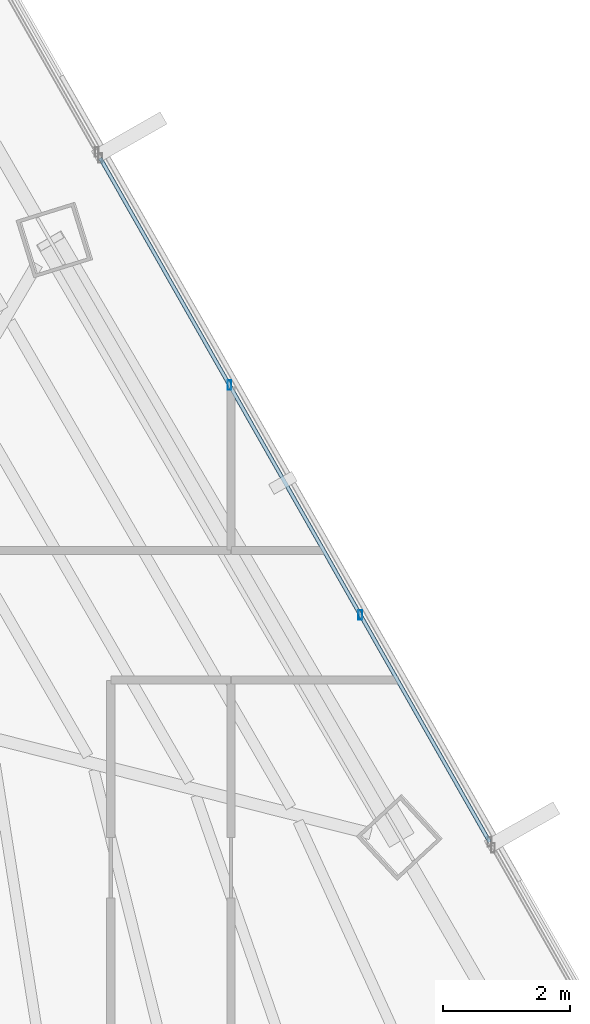
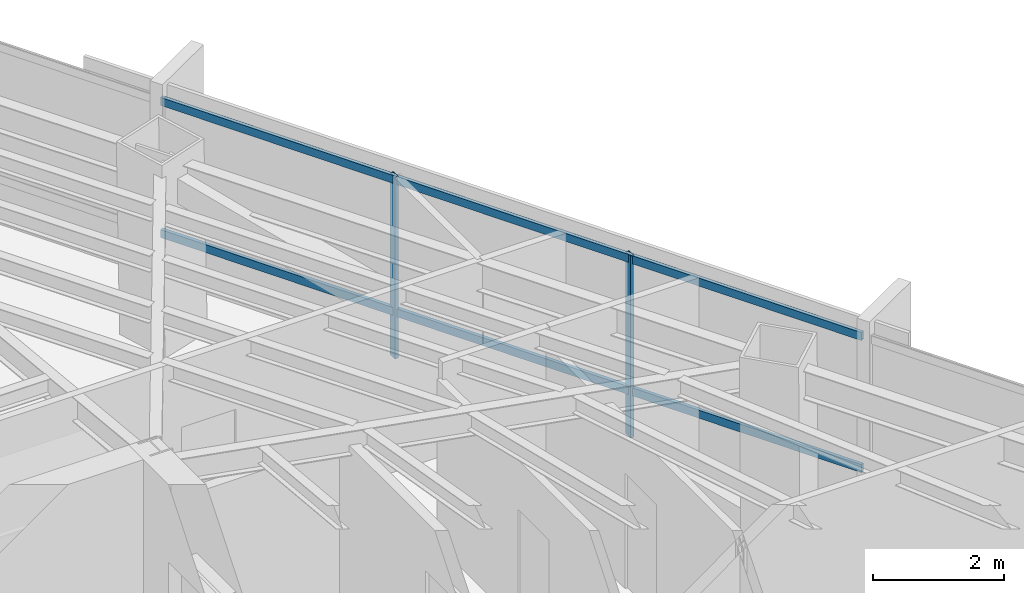
# One storey, part 25 of 38: 4 members, 1 element without a shape of its own.
"""IFC4 building model written with IfcOpenShell, lengths in metres."""

from ifc_helpers import new_model, si_unit, direction, frame, origin, origin_2d, place, context, subcontext, project, spatial, hollow_rectangle, extrude, source, transform, mapped, material, material_profile, profile_set, type_object, type_shapes, element, aggregate, save


model = new_model("IFC4")

# Units and contexts
model_context = context("Model", 3, precision=1e-05, world=origin(), true_north=direction((0.0, 1.0)))
body_context = subcontext(model_context, "Body", "Model", "MODEL_VIEW")
ifc_project = project(units=[si_unit("LENGTHUNIT", "METRE"), si_unit("AREAUNIT", "SQUARE_METRE"), si_unit("VOLUMEUNIT", "CUBIC_METRE"), si_unit("PLANEANGLEUNIT", "RADIAN"), si_unit("MASSUNIT", "GRAM", prefix="KILO")], contexts=[model_context])

# Site, building, storey
site_placement = place(None, origin())
site = spatial("IfcSite", under=ifc_project, at=site_placement, CompositionType="ELEMENT")
building_placement = place(site_placement, origin())
building = spatial("IfcBuilding", under=site, at=building_placement, Name="Caelisora Broadcast Tower", CompositionType="ELEMENT")
storey_placement = place(building_placement, frame((0.0, 0.0, 154.85009765625)))
storey = spatial("IfcBuildingStorey", under=building, at=storey_placement, Name="L40", CompositionType="ELEMENT", Elevation=154.85009765625)

# Curtain wall, members
ifc_material_1 = material(Name="Unitised Aluminium Insulated Shadow-Box Spandrel Curtain Wall", Category="aluminium")
curtain_wall_type = type_object("IfcCurtainWallType", Name="CW-SP2", PredefinedType="NOTDEFINED", material=ifc_material_1)
curtain_wall_placement = place(storey_placement, origin())
curtain_wall = element("IfcCurtainWall", 1, at=curtain_wall_placement, inside=storey, type_object=curtain_wall_type, Name="L40 curtain wall CW-SP2", PredefinedType="NOTDEFINED")
ifc_material_2 = material(Name="Aluminium 6063-T6 Anodised Terracotta Bronze", Category="aluminium")
ifc_material_profile_1 = material_profile(ifc_material_2, hollow_rectangle(XDim=0.06005859375, YDim=0.14990234375, WallThickness=0.00341796875, at=origin_2d()), Name="Aluminium 6063-T6 Anodised Terracotta Bronze")
ifc_profile_set_1 = profile_set([ifc_material_profile_1], Name="Aluminium 6063-T6 Anodised Terracotta Bronze")
member_type_1 = type_object("IfcMemberType", Name="CWM-03", PredefinedType="MULLION", material=ifc_profile_set_1)
shared_shape_1 = source(origin(), body_context, "Body", "SweptSolid", [
    extrude(hollow_rectangle(XDim=0.06005859375, YDim=0.14990234375, WallThickness=0.00341796875, at=origin_2d()), origin(), (0.0, 0.0, 1.0), 3.39990234375),
])
type_shapes(member_type_1, [shared_shape_1])
member_1_placement = place(storey_placement, frame((52.476806640625, 34.762451171875, 0.0), z_axis=(0.0, 0.0, 1.0), x_axis=(1.0, 0.0, 0.0)))
member_1 = element("IfcMember", 2, at=member_1_placement, type_object=member_type_1, Name="L40-CW-B02 mullion #1", PredefinedType="MULLION", context=body_context, shape_type="MappedRepresentation", body=[
    mapped(shared_shape_1, transform((0.0, 0.0, 0.0), scale=1.0)),
])
member_2_placement = place(storey_placement, frame((54.544921875, 31.131103515625, 0.0), z_axis=(0.0, 0.0, 1.0), x_axis=(1.0, 0.0, 0.0)))
member_2 = element("IfcMember", 3, at=member_2_placement, type_object=member_type_1, Name="L40-CW-B02 mullion #2", PredefinedType="MULLION", context=body_context, shape_type="MappedRepresentation", body=[
    mapped(shared_shape_1, transform((0.0, 0.0, 0.0), scale=1.0)),
])
ifc_material_profile_2 = material_profile(ifc_material_2, hollow_rectangle(XDim=0.06005859375, YDim=0.14990234375, WallThickness=0.00341796875, at=origin_2d()), Name="Aluminium 6063-T6 Anodised Terracotta Bronze")
ifc_profile_set_2 = profile_set([ifc_material_profile_2], Name="Aluminium 6063-T6 Anodised Terracotta Bronze")
member_type_2 = type_object("IfcMemberType", Name="CWT-02", PredefinedType="USERDEFINED", material=ifc_profile_set_2)
shared_shape_2 = source(origin(), body_context, "Body", "SweptSolid", [
    extrude(hollow_rectangle(XDim=0.06005859375, YDim=0.14990234375, WallThickness=0.00341796875, at=origin_2d()), origin(), (0.0, 0.0, 1.0), 12.437255859375),
])
type_shapes(member_type_2, [shared_shape_2])
member_3_placement = place(storey_placement, frame((50.433349609375, 38.3505859375, 0.849853515625), z_axis=(0.494865794143, -0.86896941591, 0.0), x_axis=(0.86896941591, 0.494865794143, 0.0)))
member_3 = element("IfcMember", 4, at=member_3_placement, type_object=member_type_2, Name="L40-CW-B02 transom #1", ObjectType="TRANSOM", PredefinedType="USERDEFINED", context=body_context, shape_type="MappedRepresentation", body=[
    mapped(shared_shape_2, transform((0.0, 0.0, 0.0), scale=1.0)),
])
member_4_placement = place(storey_placement, frame((50.433349609375, 38.3505859375, 3.31982421875), z_axis=(0.494865794143, -0.86896941591, 0.0), x_axis=(0.86896941591, 0.494865794143, 0.0)))
member_4 = element("IfcMember", 5, at=member_4_placement, type_object=member_type_2, Name="L40-CW-B02 transom #2", ObjectType="TRANSOM", PredefinedType="USERDEFINED", context=body_context, shape_type="MappedRepresentation", body=[
    mapped(shared_shape_2, transform((0.0, 0.0, 0.0), scale=1.0)),
])
aggregate(curtain_wall, [member_1, member_2, member_3, member_4])

save(model, "model.ifc")
